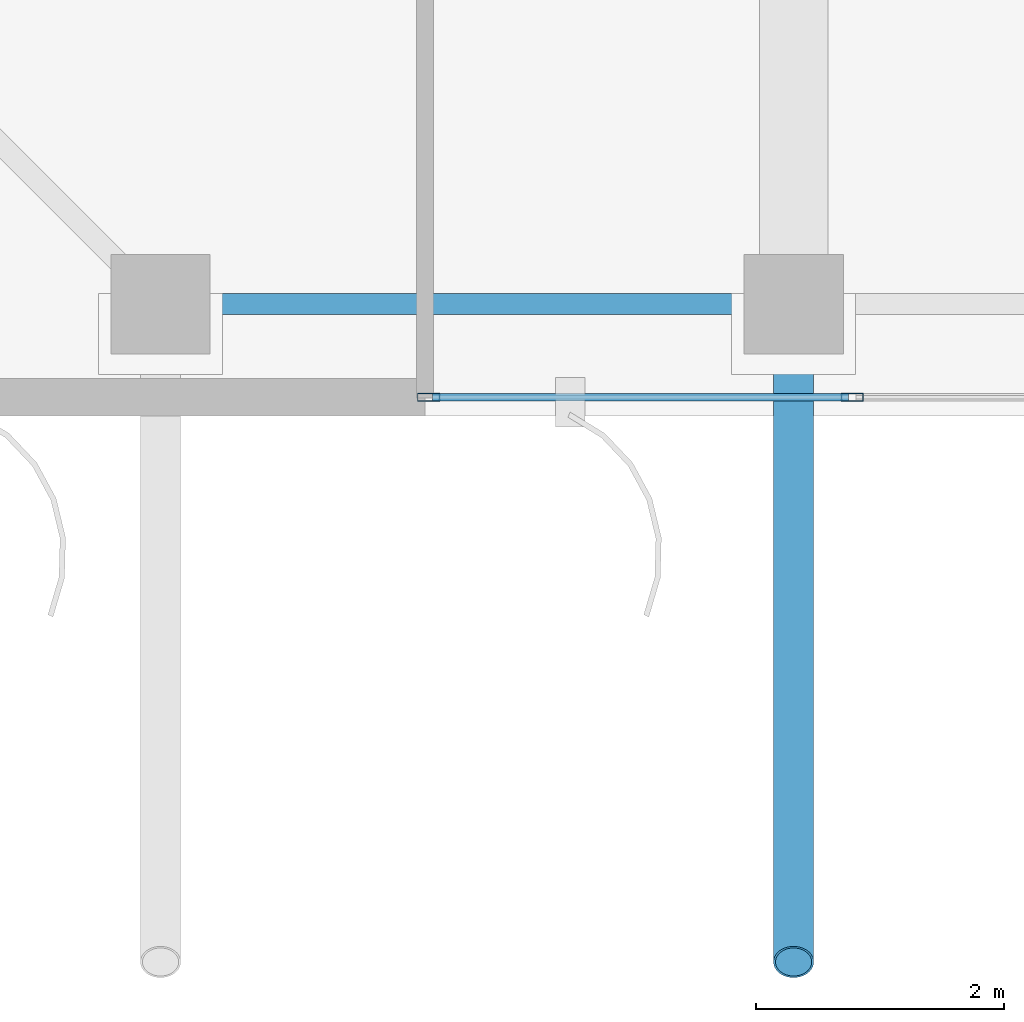
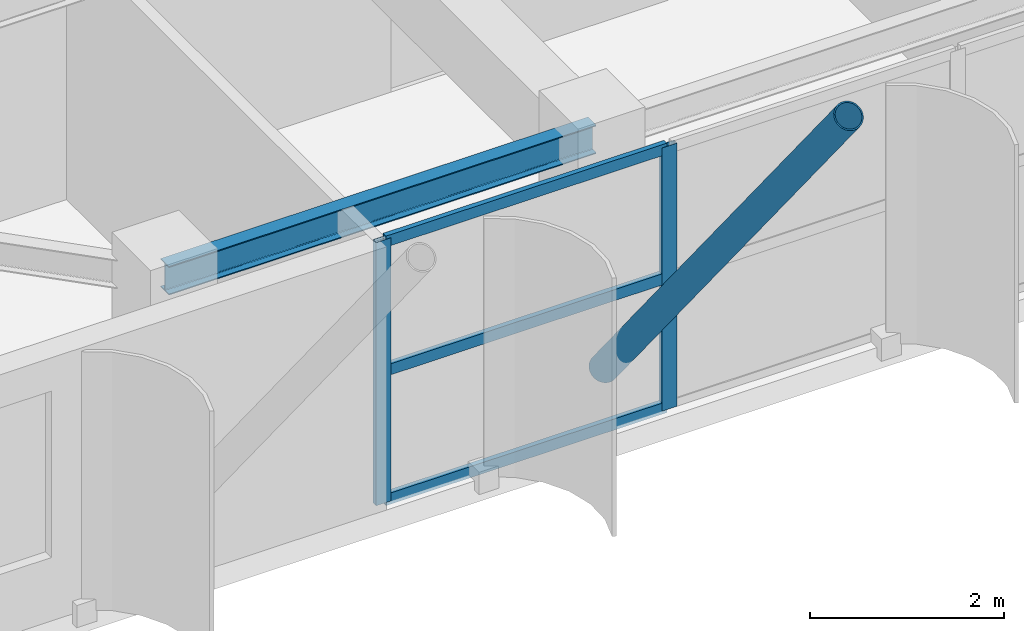
# One storey, part 2 of 22: 6 members, 1 beam, 1 element without a shape of its own.
"""IFC4 building model written with IfcOpenShell, lengths in metres."""

from ifc_helpers import new_model, si_unit, direction, frame, origin, origin_2d, place, context, subcontext, project, spatial, hollow_rectangle, hollow_circle, i_section, extrude, source, transform, mapped, material, layer, layer_set, material_profile, profile_set, type_object, element, aggregate, save


model = new_model("IFC4")

# Units and contexts
model_context = context("Model", 3, precision=1e-05, world=origin(), true_north=direction((0.0, 1.0)))
body_context = subcontext(model_context, "Body", "Model", "MODEL_VIEW")
ifc_project = project(units=[si_unit("LENGTHUNIT", "METRE"), si_unit("AREAUNIT", "SQUARE_METRE"), si_unit("VOLUMEUNIT", "CUBIC_METRE"), si_unit("PLANEANGLEUNIT", "RADIAN"), si_unit("MASSUNIT", "GRAM", prefix="KILO")], contexts=[model_context])

# Site, building, storey
site_placement = place(None, origin())
site = spatial("IfcSite", under=ifc_project, at=site_placement, CompositionType="ELEMENT")
building_placement = place(site_placement, origin())
building = spatial("IfcBuilding", under=site, at=building_placement, Name="Khoralis Quay Care Tower", CompositionType="ELEMENT")
storey_placement = place(building_placement, frame((0.0, 0.0, 278.10009765625)))
storey = spatial("IfcBuildingStorey", under=building, at=storey_placement, Name="L73", CompositionType="ELEMENT", Elevation=278.10009765625)

# Beam
ifc_material_1 = material(Name="Steel S355", Category="steel")
ifc_material_profile_1 = material_profile(ifc_material_1, i_section(OverallWidth=0.169921875, OverallDepth=0.360107421875, WebThickness=0.008056640625, FlangeThickness=0.0126953125, FilletRadius=0.01806640625, at=origin_2d()), Name="Steel S355")
ifc_profile_set_1 = profile_set([ifc_material_profile_1], Name="Steel S355")
beam_type = type_object("IfcBeamType", Name="BM-IPE360", PredefinedType="SPANDREL", material=ifc_profile_set_1)
shared_shape_1 = source(origin(), body_context, "Body", "SweptSolid", [
    extrude(i_section(OverallWidth=0.169921875, OverallDepth=0.360107421875, WebThickness=0.008056640625, FlangeThickness=0.0126953125, FilletRadius=0.01806640625, at=origin_2d()), origin(), (0.0, 0.0, 1.0), 5.10009765625),
])
beam_placement = place(storey_placement, frame((12.0, 3.89990234375, 3.139892578125), z_axis=(1.0, 0.0, 0.0), x_axis=(0.0, 1.0, 0.0)))
element("IfcBeam", 1, at=beam_placement, inside=storey, type_object=beam_type, Name="BM-TSP-L73-01", PredefinedType="SPANDREL", context=body_context, shape_type="MappedRepresentation", body=[
    mapped(shared_shape_1, transform((0.0, 0.0, 0.0), scale=1.0)),
])

# Member
ifc_material_profile_2 = material_profile(ifc_material_1, hollow_circle(Radius=0.161865234375, WallThickness=0.01611328125, at=origin_2d()), Name="Steel S355")
ifc_profile_set_2 = profile_set([ifc_material_profile_2], Name="Steel S355")
member_type_1 = type_object("IfcMemberType", Name="ST-CHS323X16", PredefinedType="STRUT", material=ifc_profile_set_2)
shared_shape_2 = source(origin(), body_context, "Body", "SweptSolid", [
    extrude(hollow_circle(Radius=0.161865234375, WallThickness=0.01611328125, at=origin_2d()), origin(), (0.0, 0.0, 1.0), 8.04150390625),
])
member_1_placement = place(storey_placement, frame((17.10009765625, 3.659912109375, 0.349853515625), z_axis=(0.0, -0.629220062981, 0.777227194804), x_axis=(1.0, 0.0, 0.0)))
element("IfcMember", 2, at=member_1_placement, inside=storey, type_object=member_type_1, Name="L73 Sky Pool Raking Strut 2A", PredefinedType="STRUT", context=body_context, shape_type="MappedRepresentation", body=[
    mapped(shared_shape_2, transform((0.0, 0.0, 0.0), scale=1.0)),
])

# Curtain wall, members
ifc_material_2 = material(Name="Pale anodised aluminium", Category="aluminium")
ifc_layer = layer(ifc_material_2, 0.159912109375)
ifc_layer_set = layer_set([ifc_layer], Name="Pale anodised aluminium")
curtain_wall_type = type_object("IfcCurtainWallType", Name="CW-SYS-Z3", PredefinedType="NOTDEFINED", material=ifc_layer_set)
curtain_wall_placement = place(storey_placement, origin())
curtain_wall = element("IfcCurtainWall", 3, at=curtain_wall_placement, inside=storey, type_object=curtain_wall_type, Name="L73 Unitised Curtain Wall CW-L73-P1-E0", PredefinedType="NOTDEFINED")
ifc_material_profile_3 = material_profile(ifc_material_2, hollow_rectangle(XDim=0.06494140625, YDim=0.179931640625, WallThickness=0.00390625, at=origin_2d()), Name="Pale anodised aluminium")
ifc_profile_set_3 = profile_set([ifc_material_profile_3], Name="Pale anodised aluminium")
member_type_2 = type_object("IfcMemberType", Name="CW-MUL-180", PredefinedType="MULLION", material=ifc_profile_set_3)
shared_shape_3 = source(origin(), body_context, "Body", "SweptSolid", [
    extrude(hollow_rectangle(XDim=0.06494140625, YDim=0.179931640625, WallThickness=0.00390625, at=origin_2d()), origin(), (0.0, 0.0, 1.0), 3.31982421875),
])
member_2_placement = place(storey_placement, frame((14.159912109375, 3.14990234375, 0.0), z_axis=(0.0, 0.0, 1.0), x_axis=(0.0, 1.0, 0.0)))
member_2 = element("IfcMember", 4, at=member_2_placement, type_object=member_type_2, Name="CW3 mullion 1", PredefinedType="MULLION", context=body_context, shape_type="MappedRepresentation", body=[
    mapped(shared_shape_3, transform((0.0, 0.0, 0.0), scale=1.0)),
])
member_3_placement = place(storey_placement, frame((17.572509765625, 3.14990234375, 0.0), z_axis=(0.0, 0.0, 1.0), x_axis=(0.0, 1.0, 0.0)))
member_3 = element("IfcMember", 5, at=member_3_placement, type_object=member_type_2, Name="CW3 mullion 2", PredefinedType="MULLION", context=body_context, shape_type="MappedRepresentation", body=[
    mapped(shared_shape_3, transform((0.0, 0.0, 0.0), scale=1.0)),
])
ifc_material_profile_4 = material_profile(ifc_material_2, hollow_rectangle(XDim=0.06005859375, YDim=0.139892578125, WallThickness=0.00390625, at=origin_2d()), Name="Pale anodised aluminium")
ifc_profile_set_4 = profile_set([ifc_material_profile_4], Name="Pale anodised aluminium")
member_type_3 = type_object("IfcMemberType", Name="CW-TRN-140", PredefinedType="USERDEFINED", material=ifc_profile_set_4)
shared_shape_4 = source(origin(), body_context, "Body", "SweptSolid", [
    extrude(hollow_rectangle(XDim=0.06005859375, YDim=0.139892578125, WallThickness=0.00390625, at=origin_2d()), origin(), (0.0, 0.0, 1.0), 3.3525390625),
])
member_4_placement = place(storey_placement, frame((14.18994140625, 3.14990234375, 0.02978515625), z_axis=(1.0, 0.0, 0.0), x_axis=(0.0, 1.0, 0.0)))
member_4 = element("IfcMember", 6, at=member_4_placement, type_object=member_type_3, Name="CW3 transom 1.1", ObjectType="TRANSOM", PredefinedType="USERDEFINED", context=body_context, shape_type="MappedRepresentation", body=[
    mapped(shared_shape_4, transform((0.0, 0.0, 0.0), scale=1.0)),
])
member_5_placement = place(storey_placement, frame((14.18994140625, 3.14990234375, 1.659912109375), z_axis=(1.0, 0.0, 0.0), x_axis=(0.0, 1.0, 0.0)))
member_5 = element("IfcMember", 7, at=member_5_placement, type_object=member_type_3, Name="CW3 transom 1.2", ObjectType="TRANSOM", PredefinedType="USERDEFINED", context=body_context, shape_type="MappedRepresentation", body=[
    mapped(shared_shape_4, transform((0.0, 0.0, 0.0), scale=1.0)),
])
member_6_placement = place(storey_placement, frame((14.18994140625, 3.14990234375, 3.289794921875), z_axis=(1.0, 0.0, 0.0), x_axis=(0.0, 1.0, 0.0)))
member_6 = element("IfcMember", 8, at=member_6_placement, type_object=member_type_3, Name="CW3 transom 1.3", ObjectType="TRANSOM", PredefinedType="USERDEFINED", context=body_context, shape_type="MappedRepresentation", body=[
    mapped(shared_shape_4, transform((0.0, 0.0, 0.0), scale=1.0)),
])
aggregate(curtain_wall, [member_2, member_3, member_4, member_5, member_6])

save(model, "model.ifc")
